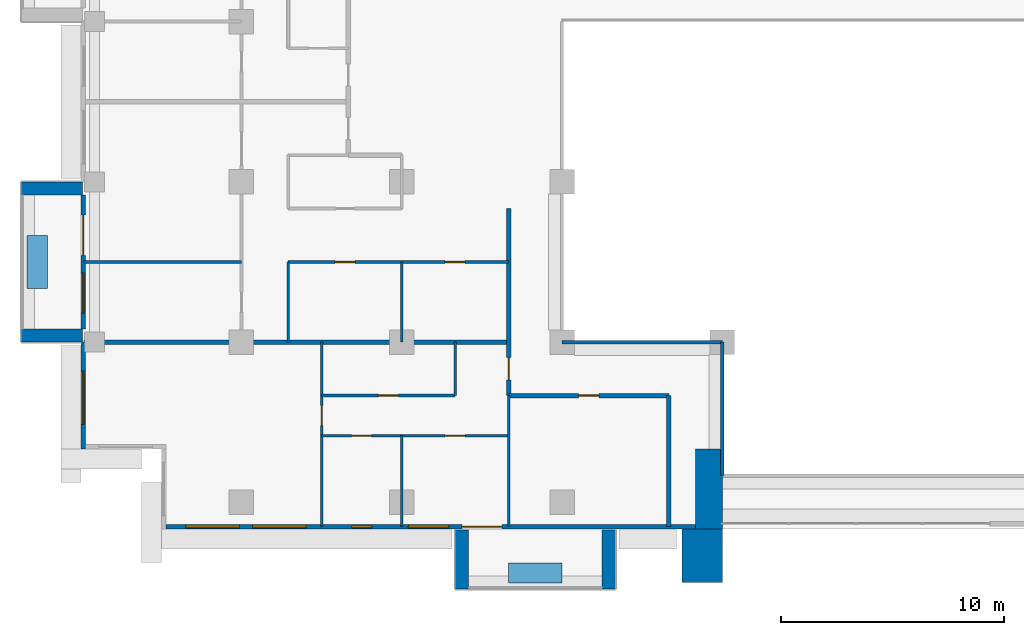
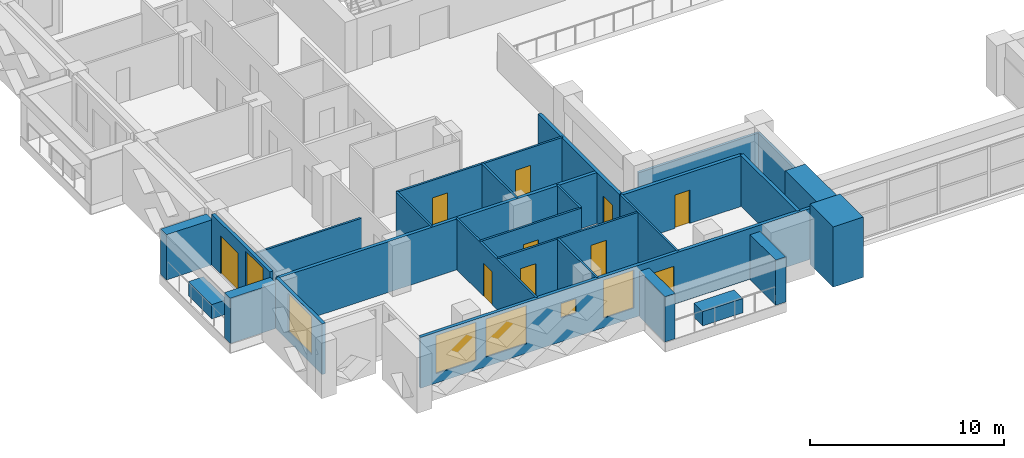
# One storey, part 6 of 20: 27 walls, 10 doors, 6 windows, 16 openings.
"""IFC4 building model written with IfcOpenShell, lengths in metres."""

import ifcopenshell
import ifcopenshell.guid

model = None  # the IFC model being written
_history = None  # IfcOwnerHistory: only IFC2X3 demands one
_inside = {}  # id of a spatial element -> (the spatial element, [elements in it])
_under = {}  # id of a project, library or spatial element -> (it, [spatial elements below it])
_declared = {}  # id of a project -> (the project, [libraries it declares])
_typed = {}  # id of a type object -> (the type object, [elements of that type])
_made_of = {}  # id of a material, layer set ... -> (it, [elements and type objects made of it])


def new_model(schema):
    """Start an empty IFC model of exactly this schema.

    Asked for "IFC4X3", IfcOpenShell would pick the latest addendum, in which some entities
    have other attributes; the version numbers below select the first issue.
    IFC2X3 requires an IfcOwnerHistory on every rooted entity: one is made here for all.
    """
    global model, _history
    if schema == "IFC4X3":
        model = ifcopenshell.file(schema_version=(4, 3, 0, 0))
    else:
        model = ifcopenshell.file(schema=schema)
    _inside.clear()
    _under.clear()
    _declared.clear()
    _typed.clear()
    _made_of.clear()
    _history = None
    if model.schema == "IFC2X3":
        org = make("IfcOrganization", Name="unknown")
        user = make(
            "IfcPersonAndOrganization",
            ThePerson=make("IfcPerson", FamilyName="unknown"),
            TheOrganization=org,
        )
        app = make(
            "IfcApplication",
            ApplicationDeveloper=org,
            Version="unknown",
            ApplicationFullName="unknown",
            ApplicationIdentifier="unknown",
        )
        _history = make(
            "IfcOwnerHistory",
            OwningUser=user,
            OwningApplication=app,
            ChangeAction="ADDED",
            CreationDate=0,
        )
    return model


def make(cls, **values):
    """One entity of the class cls with the attributes given. An attribute that is None is left unset."""
    return model.create_entity(
        cls, **{name: value for name, value in values.items() if value is not None}
    )


def rooted(cls, **values):
    """An entity with a GlobalId (a new one), such as an element, a storey or a relation."""
    return make(cls, GlobalId=ifcopenshell.guid.new(), OwnerHistory=_history, **values)


def si_unit(unit_type, name, prefix=None):
    """IfcSIUnit, for example si_unit("LENGTHUNIT", "METRE", prefix="MILLI")."""
    return make("IfcSIUnit", UnitType=unit_type, Prefix=prefix, Name=name)


def assignment(units):
    """IfcUnitAssignment: the units of a project."""
    return None if units is None else make("IfcUnitAssignment", Units=units)


def point(xyz):
    """IfcCartesianPoint."""
    return None if xyz is None else make("IfcCartesianPoint", Coordinates=xyz)


def direction(xyz):
    """IfcDirection."""
    return None if xyz is None else make("IfcDirection", DirectionRatios=xyz)


def frame(location, z_axis=None, x_axis=None):
    """IfcAxis2Placement3D, a coordinate frame: its origin and axes. An axis left out is left unset."""
    return make(
        "IfcAxis2Placement3D",
        Location=point(location),
        Axis=direction(z_axis),
        RefDirection=direction(x_axis),
    )


def frame_2d(location, x_axis=None):
    """IfcAxis2Placement2D, a coordinate frame in the plane: its origin and x axis."""
    return make(
        "IfcAxis2Placement2D", Location=point(location), RefDirection=direction(x_axis)
    )


def origin():
    """The frame at (0, 0, 0) with its axes left unset."""
    return frame((0.0, 0.0, 0.0))


def place(relative_to, where):
    """IfcLocalPlacement: puts the frame where relative to a parent placement (None: the world)."""
    return make(
        "IfcLocalPlacement", PlacementRelTo=relative_to, RelativePlacement=where
    )


def context(
    kind, dimensions, precision=None, world=None, true_north=None, identifier=None
):
    """IfcGeometricRepresentationContext, for example the 3D "Model" context."""
    return make(
        "IfcGeometricRepresentationContext",
        ContextIdentifier=identifier,
        ContextType=kind,
        CoordinateSpaceDimension=dimensions,
        Precision=precision,
        WorldCoordinateSystem=world,
        TrueNorth=true_north,
    )


def subcontext(parent, identifier, kind, view, scale=None):
    """IfcGeometricRepresentationSubContext, for example "Body" below "Model"."""
    return make(
        "IfcGeometricRepresentationSubContext",
        ContextIdentifier=identifier,
        ContextType=kind,
        ParentContext=parent,
        TargetScale=scale,
        TargetView=view,
    )


def project(units=None, contexts=None):
    """IfcProject with its units and contexts."""
    return rooted(
        "IfcProject",
        Name="project",
        RepresentationContexts=contexts,
        UnitsInContext=assignment(units),
    )


def spatial(cls, under=None, at=None, **own):
    """A site, building, storey or space (cls), placed at a placement, below another one or the project."""
    s = rooted(cls, ObjectPlacement=at, **own)
    if under is not None:
        _under.setdefault(under.id(), (under, []))[1].append(s)
    return s


def profile(cls, at=None, kind="AREA", **sizes):
    """A parametric profile (cls). Its sizes go by their IFC names, for example OverallWidth=200.0."""
    return make(cls, ProfileType=kind, Position=at, **sizes)


def rectangle(**sizes):
    """IfcRectangleProfileDef."""
    return profile("IfcRectangleProfileDef", **sizes)


def extrude(swept, where, along, depth):
    """IfcExtrudedAreaSolid: the profile swept, set in the frame where, extruded along a direction by depth."""
    return make(
        "IfcExtrudedAreaSolid",
        SweptArea=swept,
        Position=where,
        ExtrudedDirection=direction(along),
        Depth=depth,
    )


def shape(context_of_items, identifier, shape_type, items):
    """IfcShapeRepresentation: the items that make up one representation, for example the "Body"."""
    return make(
        "IfcShapeRepresentation",
        ContextOfItems=context_of_items,
        RepresentationIdentifier=identifier,
        RepresentationType=shape_type,
        Items=items,
    )


def material(Name=None, Category=None):
    """IfcMaterial."""
    return make("IfcMaterial", Name=Name, Category=Category)


def layer(
    of_material, thickness, ventilated=None, Name=None, Category=None, Priority=None
):
    """IfcMaterialLayer: one layer of a wall or slab, of a material (None: an air gap)."""
    return make(
        "IfcMaterialLayer",
        Material=of_material,
        LayerThickness=thickness,
        IsVentilated=ventilated,
        Name=Name,
        Category=Category,
        Priority=Priority,
    )


def layer_set(layers, Name=None):
    """IfcMaterialLayerSet."""
    return make("IfcMaterialLayerSet", MaterialLayers=layers, LayerSetName=Name)


def made_of(thing, what):
    """Note that an element or type object is made of a material, layer set ...; save() writes the relation."""
    if what is not None:
        _made_of.setdefault(what.id(), (what, []))[1].append(thing)
    return thing


def type_object(cls, material=None, **own):
    """A type object (cls), such as IfcWallType, which elements share."""
    return made_of(rooted(cls, **own), material)


def element(
    cls,
    number,
    at=None,
    inside=None,
    cuts=None,
    type_object=None,
    material=None,
    context=None,
    identifier="Body",
    shape_type=None,
    held_by="IfcProductDefinitionShape",
    body=None,
    shapes=None,
    **own,
):
    """One element of the class cls, such as IfcWall. Its Tag is "e" and its number.

    at: its placement. inside: the storey or other place that contains it. cuts: it is an
    opening in that element (IfcRelVoidsElement). A single representation is given by context,
    identifier, shape_type and body (its items); several are given by shapes. held_by: the class
    of the entity that holds the representations. save() writes the other relations.
    """
    e = rooted(cls, Tag="e%d" % number, ObjectPlacement=at, **own)
    if body is not None:
        shapes = [shape(context, identifier, shape_type, body)]
    if shapes is not None:
        e.Representation = make(held_by, Representations=shapes)
    if inside is not None:
        _inside.setdefault(inside.id(), (inside, []))[1].append(e)
    if cuts is not None:
        rooted(
            "IfcRelVoidsElement", RelatingBuildingElement=cuts, RelatedOpeningElement=e
        )
    if type_object is not None:
        _typed.setdefault(type_object.id(), (type_object, []))[1].append(e)
    return made_of(e, material)


def fill(opening, filler):
    """IfcRelFillsElement: the door or window that sits in an opening."""
    return rooted(
        "IfcRelFillsElement",
        RelatingOpeningElement=opening,
        RelatedBuildingElement=filler,
    )


def aggregate(whole, parts):
    """IfcRelAggregates: a whole, such as a stair, and the parts it consists of."""
    return rooted("IfcRelAggregates", RelatingObject=whole, RelatedObjects=parts)


def save(model, path):
    """Write the relations noted so far, then the file.

    IfcRelAggregates (storeys below a building ...), IfcRelContainedInSpatialStructure (elements
    in a storey), IfcRelDefinesByType, IfcRelAssociatesMaterial and IfcRelDeclares: one each for
    every whole, place, type object, material and project.
    """
    for whole, parts in _under.values():
        aggregate(whole, parts)
    for where, things in _inside.values():
        rooted(
            "IfcRelContainedInSpatialStructure",
            RelatedElements=things,
            RelatingStructure=where,
        )
    for kind, things in _typed.values():
        rooted("IfcRelDefinesByType", RelatedObjects=things, RelatingType=kind)
    for what, things in _made_of.values():
        rooted("IfcRelAssociatesMaterial", RelatedObjects=things, RelatingMaterial=what)
    for by, libraries in _declared.values():
        rooted("IfcRelDeclares", RelatingContext=by, RelatedDefinitions=libraries)
    model.write(path)


model = new_model("IFC4")

# Units and contexts
model_context = context("Model", 3, precision=1e-05, world=origin(), true_north=direction((0.0, 1.0)))
body_context = subcontext(model_context, "Body", "Model", "MODEL_VIEW")
ifc_project = project(units=[si_unit("LENGTHUNIT", "METRE"), si_unit("AREAUNIT", "SQUARE_METRE"), si_unit("VOLUMEUNIT", "CUBIC_METRE"), si_unit("PLANEANGLEUNIT", "RADIAN"), si_unit("MASSUNIT", "GRAM", prefix="KILO")], contexts=[model_context])

# Site, building, storey
site_placement = place(None, origin())
site = spatial("IfcSite", under=ifc_project, at=site_placement, CompositionType="ELEMENT")
building_placement = place(site_placement, origin())
building = spatial("IfcBuilding", under=site, at=building_placement, Name="Saffron Iwan Residences", CompositionType="ELEMENT")
storey_placement = place(building_placement, frame((0.0, 0.0, 130.5)))
storey = spatial("IfcBuildingStorey", under=building, at=storey_placement, Name="L34", CompositionType="ELEMENT", Elevation=130.5)

# Walls
ifc_material_1 = material(Name="Fire-rated glazing", Category="glass")
ifc_layer_1 = layer(ifc_material_1, 0.14990234375)
ifc_layer_set_1 = layer_set([ifc_layer_1], Name="Fire-rated glazing")
wall_type_1 = type_object("IfcWallType", Name="Atrium glazed screen 150", PredefinedType="SOLIDWALL", material=ifc_layer_set_1)
wall_1_placement = place(storey_placement, frame((36.0, 48.0, 0.0), z_axis=(0.0, 0.0, 1.0), x_axis=(1.0, 0.0, 0.0)))
element("IfcWall", 1, at=wall_1_placement, inside=storey, type_object=wall_type_1, Name="W-L34-SCREEN-h48-36", PredefinedType="SOLIDWALL", context=body_context, shape_type="SweptSolid", body=[
    extrude(rectangle(XDim=7.199951171875, YDim=0.14990234375, at=frame_2d((3.60009765625, 0.0))), origin(), (0.0, 0.0, 1.0), 2.300048828125),
])
wall_2_placement = place(storey_placement, frame((43.199951171875, 42.0, 0.0), z_axis=(0.0, 0.0, 1.0), x_axis=(0.0, 1.0, 0.0)))
element("IfcWall", 2, at=wall_2_placement, inside=storey, type_object=wall_type_1, Name="W-L34-SCREEN-v43.2-42", PredefinedType="SOLIDWALL", context=body_context, shape_type="SweptSolid", body=[
    extrude(rectangle(XDim=6.0, YDim=0.14990234375, at=frame_2d((3.0, 0.0))), origin(), (0.0, 0.0, 1.0), 2.300048828125),
])
ifc_material_2 = material(Name="Concrete C50/60 white painted", Category="concrete")
ifc_layer_2 = layer(ifc_material_2, 0.60009765625)
ifc_layer_set_2 = layer_set([ifc_layer_2], Name="Concrete C50/60 white painted")
wall_type_2 = type_object("IfcWallType", Name="BALCONY FIN 600", PredefinedType="SOLIDWALL", material=ifc_layer_set_2)
for number, where, z_axis, x_axis, name in (
    (3, (14.449951171875, 54.89990234375, 0.0), (0.0, 0.0, 1.0), (-1.0, 0.0, 0.0), "Balcony fin L34 F8-1a"),
    (4, (14.449951171875, 48.300048828125, 0.0), (0.0, 0.0, 1.0), (-1.0, 0.0, 0.0), "Balcony fin L34 F8-1b"),
):
    element("IfcWall", number, at=place(storey_placement, frame(where, z_axis=z_axis, x_axis=x_axis)), inside=storey, type_object=wall_type_2, Name=name, PredefinedType="SOLIDWALL", context=body_context, shape_type="SweptSolid", body=[
        extrude(rectangle(XDim=2.75, YDim=0.60009765625, at=frame_2d((1.375, 0.0))), origin(), (0.0, 0.0, 1.0), 2.85009765625),
    ])
for number, where, z_axis, x_axis, name in (
    (5, (31.5, 39.550048828125, 0.0), (0.0, 0.0, 1.0), (0.0, -1.0, 0.0), "Balcony fin L34 11-0a"),
    (6, (38.10009765625, 39.550048828125, 0.0), (0.0, 0.0, 1.0), (0.0, -1.0, 0.0), "Balcony fin L34 11-0b"),
):
    element("IfcWall", number, at=place(storey_placement, frame(where, z_axis=z_axis, x_axis=x_axis)), inside=storey, type_object=wall_type_2, Name=name, PredefinedType="SOLIDWALL", context=body_context, shape_type="SweptSolid", body=[
        extrude(rectangle(XDim=2.650146484375, YDim=0.60009765625, at=frame_2d((1.3251953125, 0.0))), origin(), (0.0, 0.0, 1.0), 2.85009765625),
    ])
ifc_material_3 = material(Name="Concrete C35/45 white painted", Category="concrete")
ifc_layer_3 = layer(ifc_material_3, 0.14990234375)
ifc_layer_set_3 = layer_set([ifc_layer_3], Name="Concrete C35/45 white painted")
wall_type_3 = type_object("IfcWallType", Name="BALCONY PLANTER", PredefinedType="SOLIDWALL", material=ifc_layer_set_3)
wall_3_placement = place(storey_placement, frame((12.425048828125, 52.800048828125, 0.0), z_axis=(0.0, 0.0, 1.0), x_axis=(0.0, -1.0, 0.0)))
element("IfcWall", 7, at=wall_3_placement, inside=storey, type_object=wall_type_3, Name="PLANTER L34 F8-1", PredefinedType="SOLIDWALL", context=body_context, shape_type="SweptSolid", body=[
    extrude(rectangle(XDim=2.400146484375, YDim=0.89990234375, at=frame_2d((1.2001953125, 0.0))), origin(), (0.0, 0.0, 1.0), 0.89990234375),
])
wall_4_placement = place(storey_placement, frame((33.60009765625, 37.625, 0.0), z_axis=(0.0, 0.0, 1.0), x_axis=(1.0, 0.0, 0.0)))
element("IfcWall", 8, at=wall_4_placement, inside=storey, type_object=wall_type_3, Name="PLANTER L34 11-0", PredefinedType="SOLIDWALL", context=body_context, shape_type="SweptSolid", body=[
    extrude(rectangle(XDim=2.39990234375, YDim=0.89990234375, at=frame_2d((1.199951171875, 0.0))), origin(), (0.0, 0.0, 1.0), 0.89990234375),
])

# Wall, openings, door, window
ifc_material_4 = material(Name="Concrete C40/50", Category="concrete")
ifc_layer_4 = layer(ifc_material_4, 0.199951171875)
ifc_layer_set_4 = layer_set([ifc_layer_4], Name="Concrete C40/50")
wall_type_4 = type_object("IfcWallType", Name="EXTERNAL WALL 200", PredefinedType="SOLIDWALL", material=ifc_layer_set_4)
wall_5_placement = place(storey_placement, frame((14.5, 54.60009765625, 0.0), z_axis=(0.0, 0.0, 1.0), x_axis=(0.0, -1.0, 0.0)))
wall_5 = element("IfcWall", 9, at=wall_5_placement, inside=storey, type_object=wall_type_4, Name="External wall L34 F8.3", PredefinedType="SOLIDWALL", context=body_context, shape_type="SweptSolid", body=[
    extrude(rectangle(XDim=6.0, YDim=0.199951171875, at=frame_2d((3.0, 0.0))), origin(), (0.0, 0.0, 1.0), 3.199951171875),
])
opening_1_placement = place(wall_5_placement, frame((0.89990234375, 0.0, 0.0)))
opening_1 = element("IfcOpeningElement", 10, at=opening_1_placement, cuts=wall_5, Name="Opening BD1", PredefinedType="OPENING", context=body_context, shape_type="SweptSolid", body=[
    extrude(rectangle(XDim=1.800048828125, YDim=2.39990234375, at=frame_2d((0.89990234375, 1.199951171875))), frame((0.0, 0.10986328125, 0.0), z_axis=(0.0, -1.0, 0.0), x_axis=(1.0, 0.0, 0.0)), (0.0, 0.0, 1.0), 0.219970703125),
])
opening_2_placement = place(wall_5_placement, frame((3.5, 0.0, 0.60009765625)))
opening_2 = element("IfcOpeningElement", 11, at=opening_2_placement, cuts=wall_5, Name="Opening W8", PredefinedType="OPENING", context=body_context, shape_type="SweptSolid", body=[
    extrude(rectangle(XDim=1.800048828125, YDim=2.39990234375, at=frame_2d((0.89990234375, 1.199951171875))), frame((0.0, 0.10986328125, 0.0), z_axis=(0.0, -1.0, 0.0), x_axis=(1.0, 0.0, 0.0)), (0.0, 0.0, 1.0), 0.219970703125),
])
ifc_material_5 = material(Name="Clear glass, laminated double glazed", Category="glass")
door_type_1 = type_object("IfcDoorType", Name="BALCONY DOOR 1800 x 2400", OperationType="DOUBLE_DOOR_SLIDING", PredefinedType="DOOR", material=ifc_material_5)
door_1_placement = place(opening_1_placement, origin())
door_1 = element("IfcDoor", 12, at=door_1_placement, inside=storey, type_object=door_type_1, Name="Balcony door L34 F8.0", OperationType="DOUBLE_DOOR_SLIDING", OverallHeight=2.39990234375, OverallWidth=1.800048828125, PredefinedType="DOOR", context=body_context, shape_type="SweptSolid", body=[
    extrude(rectangle(XDim=1.800048828125, YDim=2.39990234375, at=frame_2d((0.89990234375, 1.199951171875))), frame((0.0, 0.02490234375, 0.0), z_axis=(0.0, -1.0, 0.0), x_axis=(1.0, 0.0, 0.0)), (0.0, 0.0, 1.0), 0.050048828125),
])
fill(opening_1, door_1)
window_type_1 = type_object("IfcWindowType", Name="WINDOW 1800 x 2400", PartitioningType="DOUBLE_PANEL_VERTICAL", PredefinedType="WINDOW", material=ifc_material_5)
window_1_placement = place(opening_2_placement, origin())
window_1 = element("IfcWindow", 13, at=window_1_placement, inside=storey, type_object=window_type_1, Name="Window L34 F8.1", OverallHeight=2.39990234375, OverallWidth=1.800048828125, PartitioningType="DOUBLE_PANEL_VERTICAL", PredefinedType="WINDOW", context=body_context, shape_type="SweptSolid", body=[
    extrude(rectangle(XDim=1.800048828125, YDim=2.39990234375, at=frame_2d((0.89990234375, 1.199951171875))), frame((0.0, 0.030029296875, 0.0), z_axis=(0.0, -1.0, 0.0), x_axis=(1.0, 0.0, 0.0)), (0.0, 0.0, 1.0), 0.06005859375),
])
fill(opening_2, window_1)

# Wall, opening, window
wall_6_placement = place(storey_placement, frame((14.5, 48.0, 0.0), z_axis=(0.0, 0.0, 1.0), x_axis=(0.0, -1.0, 0.0)))
wall_6 = element("IfcWall", 14, at=wall_6_placement, inside=storey, type_object=wall_type_4, Name="External wall L34 F8.4", PredefinedType="SOLIDWALL", context=body_context, shape_type="SweptSolid", body=[
    extrude(rectangle(XDim=4.800048828125, YDim=0.199951171875, at=frame_2d((2.39990234375, 0.0))), origin(), (0.0, 0.0, 1.0), 3.199951171875),
])
opening_3_placement = place(wall_6_placement, frame((1.300048828125, 0.0, 0.60009765625)))
opening_3 = element("IfcOpeningElement", 15, at=opening_3_placement, cuts=wall_6, Name="Opening W1", PredefinedType="OPENING", context=body_context, shape_type="SweptSolid", body=[
    extrude(rectangle(XDim=2.39990234375, YDim=2.39990234375, at=frame_2d((1.199951171875, 1.199951171875))), frame((0.0, 0.10986328125, 0.0), z_axis=(0.0, -1.0, 0.0), x_axis=(1.0, 0.0, 0.0)), (0.0, 0.0, 1.0), 0.219970703125),
])
window_type_2 = type_object("IfcWindowType", Name="WINDOW 2400 x 2400", PartitioningType="DOUBLE_PANEL_VERTICAL", PredefinedType="WINDOW", material=ifc_material_5)
window_2_placement = place(opening_3_placement, origin())
window_2 = element("IfcWindow", 16, at=window_2_placement, inside=storey, type_object=window_type_2, Name="Window L34 F8.0", OverallHeight=2.39990234375, OverallWidth=2.39990234375, PartitioningType="DOUBLE_PANEL_VERTICAL", PredefinedType="WINDOW", context=body_context, shape_type="SweptSolid", body=[
    extrude(rectangle(XDim=2.39990234375, YDim=2.39990234375, at=frame_2d((1.199951171875, 1.199951171875))), frame((0.0, 0.030029296875, 0.0), z_axis=(0.0, -1.0, 0.0), x_axis=(1.0, 0.0, 0.0)), (0.0, 0.0, 1.0), 0.06005859375),
])
fill(opening_3, window_2)

# Wall, openings, door, windows
wall_7_placement = place(storey_placement, frame((18.199951171875, 39.699951171875, 0.0), z_axis=(0.0, 0.0, 1.0), x_axis=(1.0, 0.0, 0.0)))
wall_7 = element("IfcWall", 17, at=wall_7_placement, inside=storey, type_object=wall_type_4, Name="External wall L34 F11.0", PredefinedType="SOLIDWALL", context=body_context, shape_type="SweptSolid", body=[
    extrude(rectangle(XDim=23.800048828125, YDim=0.199951171875, at=frame_2d((11.89990234375, 0.0))), origin(), (0.0, 0.0, 1.0), 3.199951171875),
])
opening_4_placement = place(wall_7_placement, frame((13.300048828125, 0.0, 0.0)))
opening_4 = element("IfcOpeningElement", 18, at=opening_4_placement, cuts=wall_7, Name="Opening BD1", PredefinedType="OPENING", context=body_context, shape_type="SweptSolid", body=[
    extrude(rectangle(XDim=1.800048828125, YDim=2.39990234375, at=frame_2d((0.89990234375, 1.199951171875))), frame((0.0, 0.10986328125, 0.0), z_axis=(0.0, -1.0, 0.0), x_axis=(1.0, 0.0, 0.0)), (0.0, 0.0, 1.0), 0.219970703125),
])
opening_5_placement = place(wall_7_placement, frame((0.89990234375, 0.0, 0.60009765625)))
opening_5 = element("IfcOpeningElement", 19, at=opening_5_placement, cuts=wall_7, Name="Opening W1", PredefinedType="OPENING", context=body_context, shape_type="SweptSolid", body=[
    extrude(rectangle(XDim=2.39990234375, YDim=2.39990234375, at=frame_2d((1.199951171875, 1.199951171875))), frame((0.0, 0.10986328125, 0.0), z_axis=(0.0, -1.0, 0.0), x_axis=(1.0, 0.0, 0.0)), (0.0, 0.0, 1.0), 0.219970703125),
])
opening_6_placement = place(wall_7_placement, frame((3.89990234375, 0.0, 0.60009765625)))
opening_6 = element("IfcOpeningElement", 20, at=opening_6_placement, cuts=wall_7, Name="Opening W1", PredefinedType="OPENING", context=body_context, shape_type="SweptSolid", body=[
    extrude(rectangle(XDim=2.39990234375, YDim=2.39990234375, at=frame_2d((1.199951171875, 1.199951171875))), frame((0.0, 0.10986328125, 0.0), z_axis=(0.0, -1.0, 0.0), x_axis=(1.0, 0.0, 0.0)), (0.0, 0.0, 1.0), 0.219970703125),
])
opening_7_placement = place(wall_7_placement, frame((8.35009765625, 0.0, 1.5)))
opening_7 = element("IfcOpeningElement", 21, at=opening_7_placement, cuts=wall_7, Name="Opening W6", PredefinedType="OPENING", context=body_context, shape_type="SweptSolid", body=[
    extrude(rectangle(XDim=0.89990234375, YDim=0.89990234375, at=frame_2d((0.449951171875, 0.449951171875))), frame((0.0, 0.10986328125, 0.0), z_axis=(0.0, -1.0, 0.0), x_axis=(1.0, 0.0, 0.0)), (0.0, 0.0, 1.0), 0.219970703125),
])
opening_8_placement = place(wall_7_placement, frame((10.89990234375, 0.0, 0.60009765625)))
opening_8 = element("IfcOpeningElement", 22, at=opening_8_placement, cuts=wall_7, Name="Opening W8", PredefinedType="OPENING", context=body_context, shape_type="SweptSolid", body=[
    extrude(rectangle(XDim=1.800048828125, YDim=2.39990234375, at=frame_2d((0.89990234375, 1.199951171875))), frame((0.0, 0.10986328125, 0.0), z_axis=(0.0, -1.0, 0.0), x_axis=(1.0, 0.0, 0.0)), (0.0, 0.0, 1.0), 0.219970703125),
])
door_2_placement = place(opening_4_placement, origin())
door_2 = element("IfcDoor", 23, at=door_2_placement, inside=storey, type_object=door_type_1, Name="Balcony door L34 F11.0", OperationType="DOUBLE_DOOR_SLIDING", OverallHeight=2.39990234375, OverallWidth=1.800048828125, PredefinedType="DOOR", context=body_context, shape_type="SweptSolid", body=[
    extrude(rectangle(XDim=1.800048828125, YDim=2.39990234375, at=frame_2d((0.89990234375, 1.199951171875))), frame((0.0, 0.02490234375, 0.0), z_axis=(0.0, -1.0, 0.0), x_axis=(1.0, 0.0, 0.0)), (0.0, 0.0, 1.0), 0.050048828125),
])
fill(opening_4, door_2)
window_3_placement = place(opening_8_placement, origin())
window_3 = element("IfcWindow", 24, at=window_3_placement, inside=storey, type_object=window_type_1, Name="Window L34 F11.4", OverallHeight=2.39990234375, OverallWidth=1.800048828125, PartitioningType="DOUBLE_PANEL_VERTICAL", PredefinedType="WINDOW", context=body_context, shape_type="SweptSolid", body=[
    extrude(rectangle(XDim=1.800048828125, YDim=2.39990234375, at=frame_2d((0.89990234375, 1.199951171875))), frame((0.0, 0.030029296875, 0.0), z_axis=(0.0, -1.0, 0.0), x_axis=(1.0, 0.0, 0.0)), (0.0, 0.0, 1.0), 0.06005859375),
])
fill(opening_8, window_3)
window_4_placement = place(opening_5_placement, origin())
window_4 = element("IfcWindow", 25, at=window_4_placement, inside=storey, type_object=window_type_2, Name="Window L34 F11.1", OverallHeight=2.39990234375, OverallWidth=2.39990234375, PartitioningType="DOUBLE_PANEL_VERTICAL", PredefinedType="WINDOW", context=body_context, shape_type="SweptSolid", body=[
    extrude(rectangle(XDim=2.39990234375, YDim=2.39990234375, at=frame_2d((1.199951171875, 1.199951171875))), frame((0.0, 0.030029296875, 0.0), z_axis=(0.0, -1.0, 0.0), x_axis=(1.0, 0.0, 0.0)), (0.0, 0.0, 1.0), 0.06005859375),
])
fill(opening_5, window_4)
window_5_placement = place(opening_6_placement, origin())
window_5 = element("IfcWindow", 26, at=window_5_placement, inside=storey, type_object=window_type_2, Name="Window L34 F11.2", OverallHeight=2.39990234375, OverallWidth=2.39990234375, PartitioningType="DOUBLE_PANEL_VERTICAL", PredefinedType="WINDOW", context=body_context, shape_type="SweptSolid", body=[
    extrude(rectangle(XDim=2.39990234375, YDim=2.39990234375, at=frame_2d((1.199951171875, 1.199951171875))), frame((0.0, 0.030029296875, 0.0), z_axis=(0.0, -1.0, 0.0), x_axis=(1.0, 0.0, 0.0)), (0.0, 0.0, 1.0), 0.06005859375),
])
fill(opening_6, window_5)
window_type_3 = type_object("IfcWindowType", Name="WINDOW 900 x 900 BATH", PartitioningType="SINGLE_PANEL", PredefinedType="WINDOW", material=ifc_material_5)
window_6_placement = place(opening_7_placement, origin())
window_6 = element("IfcWindow", 27, at=window_6_placement, inside=storey, type_object=window_type_3, Name="Window L34 F11.3", OverallHeight=0.89990234375, OverallWidth=0.89990234375, PartitioningType="SINGLE_PANEL", PredefinedType="WINDOW", context=body_context, shape_type="SweptSolid", body=[
    extrude(rectangle(XDim=0.89990234375, YDim=0.89990234375, at=frame_2d((0.449951171875, 0.449951171875))), frame((0.0, 0.030029296875, 0.0), z_axis=(0.0, -1.0, 0.0), x_axis=(1.0, 0.0, 0.0)), (0.0, 0.0, 1.0), 0.06005859375),
])
fill(opening_7, window_6)

# Wall
ifc_material_6 = material(Name="Fire-rated gypsum board wall")
ifc_layer_5 = layer(ifc_material_6, 0.199951171875)
ifc_layer_set_5 = layer_set([ifc_layer_5], Name="Fire-rated gypsum board wall")
wall_type_5 = type_object("IfcWallType", Name="Flat demising wall 200", PredefinedType="SOLIDWALL", material=ifc_layer_set_5)
wall_8_placement = place(storey_placement, frame((14.52490234375, 48.0, 0.0), z_axis=(0.0, 0.0, 1.0), x_axis=(1.0, 0.0, 0.0)))
element("IfcWall", 28, at=wall_8_placement, inside=storey, type_object=wall_type_5, Name="W-L34-DEMISE-h48-14.525", PredefinedType="SOLIDWALL", context=body_context, shape_type="SweptSolid", body=[
    extrude(rectangle(XDim=19.0751953125, YDim=0.199951171875, at=frame_2d((9.53759765625, 0.0))), origin(), (0.0, 0.0, 1.0), 3.199951171875),
])

# Wall, openings, doors
ifc_material_7 = material(Name="Gypsum board partition")
ifc_layer_6 = layer(ifc_material_7, 0.1201171875)
ifc_layer_set_6 = layer_set([ifc_layer_6], Name="Gypsum board partition")
wall_type_6 = type_object("IfcWallType", Name="Flat partition 120", PredefinedType="PARTITIONING", material=ifc_layer_set_6)
wall_9_placement = place(storey_placement, frame((25.199951171875, 43.800048828125, 0.0), z_axis=(0.0, 0.0, 1.0), x_axis=(1.0, 0.0, 0.0)))
wall_9 = element("IfcWall", 29, at=wall_9_placement, inside=storey, type_object=wall_type_6, Name="W-L34-PART-h43.8-25.2", PredefinedType="PARTITIONING", context=body_context, shape_type="SweptSolid", body=[
    extrude(rectangle(XDim=8.400146484375, YDim=0.1201171875, at=frame_2d((4.2001953125, 0.0))), origin(), (0.0, 0.0, 1.0), 3.199951171875),
])
opening_9_placement = place(wall_9_placement, frame((1.35009765625, 0.0, 0.0)))
opening_9 = element("IfcOpeningElement", 30, at=opening_9_placement, cuts=wall_9, Name="Opening FD2", PredefinedType="OPENING", context=body_context, shape_type="SweptSolid", body=[
    extrude(rectangle(XDim=0.89990234375, YDim=2.10009765625, at=frame_2d((0.449951171875, 1.050048828125))), frame((0.0, 0.070068359375, 0.0), z_axis=(0.0, -1.0, 0.0), x_axis=(1.0, 0.0, 0.0)), (0.0, 0.0, 1.0), 0.14013671875),
])
opening_10_placement = place(wall_9_placement, frame((5.550048828125, 0.0, 0.0)))
opening_10 = element("IfcOpeningElement", 31, at=opening_10_placement, cuts=wall_9, Name="Opening FD2", PredefinedType="OPENING", context=body_context, shape_type="SweptSolid", body=[
    extrude(rectangle(XDim=0.89990234375, YDim=2.10009765625, at=frame_2d((0.449951171875, 1.050048828125))), frame((0.0, 0.070068359375, 0.0), z_axis=(0.0, -1.0, 0.0), x_axis=(1.0, 0.0, 0.0)), (0.0, 0.0, 1.0), 0.14013671875),
])
ifc_material_8 = material(Name="Timber door", Category="wood")
door_type_2 = type_object("IfcDoorType", Name="Flat door 900", OperationType="NOTDEFINED", PredefinedType="DOOR", material=ifc_material_8)
door_3_placement = place(opening_9_placement, origin())
door_3 = element("IfcDoor", 32, at=door_3_placement, inside=storey, type_object=door_type_2, Name="Door L34-003", OperationType="SINGLE_SWING_RIGHT", OverallHeight=2.10009765625, OverallWidth=0.89990234375, PredefinedType="DOOR", context=body_context, shape_type="SweptSolid", body=[
    extrude(rectangle(XDim=0.89990234375, YDim=2.10009765625, at=frame_2d((0.449951171875, 1.050048828125))), frame((0.0, 0.02490234375, 0.0), z_axis=(0.0, -1.0, 0.0), x_axis=(1.0, 0.0, 0.0)), (0.0, 0.0, 1.0), 0.050048828125),
])
fill(opening_9, door_3)
door_4_placement = place(opening_10_placement, origin())
door_4 = element("IfcDoor", 33, at=door_4_placement, inside=storey, type_object=door_type_2, Name="Door L34-004", OperationType="SINGLE_SWING_LEFT", OverallHeight=2.10009765625, OverallWidth=0.89990234375, PredefinedType="DOOR", context=body_context, shape_type="SweptSolid", body=[
    extrude(rectangle(XDim=0.89990234375, YDim=2.10009765625, at=frame_2d((0.449951171875, 1.050048828125))), frame((0.0, 0.02490234375, 0.0), z_axis=(0.0, -1.0, 0.0), x_axis=(1.0, 0.0, 0.0)), (0.0, 0.0, 1.0), 0.050048828125),
])
fill(opening_10, door_4)

# Wall, opening, door
wall_10_placement = place(storey_placement, frame((25.199951171875, 45.60009765625, 0.0), z_axis=(0.0, 0.0, 1.0), x_axis=(1.0, 0.0, 0.0)))
wall_10 = element("IfcWall", 34, at=wall_10_placement, inside=storey, type_object=wall_type_6, Name="W-L34-PART-h45.6-25.2", PredefinedType="PARTITIONING", context=body_context, shape_type="SweptSolid", body=[
    extrude(rectangle(XDim=6.0, YDim=0.1201171875, at=frame_2d((3.0, 0.0))), origin(), (0.0, 0.0, 1.0), 3.199951171875),
])
opening_11_placement = place(wall_10_placement, frame((2.550048828125, 0.0, 0.0)))
opening_11 = element("IfcOpeningElement", 35, at=opening_11_placement, cuts=wall_10, Name="Opening FD2", PredefinedType="OPENING", context=body_context, shape_type="SweptSolid", body=[
    extrude(rectangle(XDim=0.89990234375, YDim=2.10009765625, at=frame_2d((0.449951171875, 1.050048828125))), frame((0.0, 0.070068359375, 0.0), z_axis=(0.0, -1.0, 0.0), x_axis=(1.0, 0.0, 0.0)), (0.0, 0.0, 1.0), 0.14013671875),
])
door_5_placement = place(opening_11_placement, origin())
door_5 = element("IfcDoor", 36, at=door_5_placement, inside=storey, type_object=door_type_2, Name="Door L34-005", OperationType="SINGLE_SWING_LEFT", OverallHeight=2.10009765625, OverallWidth=0.89990234375, PredefinedType="DOOR", context=body_context, shape_type="SweptSolid", body=[
    extrude(rectangle(XDim=0.89990234375, YDim=2.10009765625, at=frame_2d((0.449951171875, 1.050048828125))), frame((0.0, 0.02490234375, 0.0), z_axis=(0.0, -1.0, 0.0), x_axis=(1.0, 0.0, 0.0)), (0.0, 0.0, 1.0), 0.050048828125),
])
fill(opening_11, door_5)

# Wall
wall_11_placement = place(storey_placement, frame((14.52490234375, 51.60009765625, 0.0), z_axis=(0.0, 0.0, 1.0), x_axis=(1.0, 0.0, 0.0)))
element("IfcWall", 37, at=wall_11_placement, inside=storey, type_object=wall_type_6, Name="W-L34-PART-h51.6-14.525", PredefinedType="PARTITIONING", context=body_context, shape_type="SweptSolid", body=[
    extrude(rectangle(XDim=7.0751953125, YDim=0.1201171875, at=frame_2d((3.53759765625, 0.0))), origin(), (0.0, 0.0, 1.0), 2.300048828125),
])

# Wall, openings, doors
wall_12_placement = place(storey_placement, frame((23.699951171875, 51.60009765625, 0.0), z_axis=(0.0, 0.0, 1.0), x_axis=(1.0, 0.0, 0.0)))
wall_12 = element("IfcWall", 38, at=wall_12_placement, inside=storey, type_object=wall_type_6, Name="W-L34-PART-h51.6-23.7", PredefinedType="PARTITIONING", context=body_context, shape_type="SweptSolid", body=[
    extrude(rectangle(XDim=9.900146484375, YDim=0.1201171875, at=frame_2d((4.9501953125, 0.0))), origin(), (0.0, 0.0, 1.0), 3.199951171875),
])
opening_12_placement = place(wall_12_placement, frame((2.10009765625, 0.0, 0.0)))
opening_12 = element("IfcOpeningElement", 39, at=opening_12_placement, cuts=wall_12, Name="Opening FD2", PredefinedType="OPENING", context=body_context, shape_type="SweptSolid", body=[
    extrude(rectangle(XDim=0.89990234375, YDim=2.10009765625, at=frame_2d((0.449951171875, 1.050048828125))), frame((0.0, 0.070068359375, 0.0), z_axis=(0.0, -1.0, 0.0), x_axis=(1.0, 0.0, 0.0)), (0.0, 0.0, 1.0), 0.14013671875),
])
opening_13_placement = place(wall_12_placement, frame((7.050048828125, 0.0, 0.0)))
opening_13 = element("IfcOpeningElement", 40, at=opening_13_placement, cuts=wall_12, Name="Opening FD2", PredefinedType="OPENING", context=body_context, shape_type="SweptSolid", body=[
    extrude(rectangle(XDim=0.89990234375, YDim=2.10009765625, at=frame_2d((0.449951171875, 1.050048828125))), frame((0.0, 0.070068359375, 0.0), z_axis=(0.0, -1.0, 0.0), x_axis=(1.0, 0.0, 0.0)), (0.0, 0.0, 1.0), 0.14013671875),
])
door_6_placement = place(opening_12_placement, origin())
door_6 = element("IfcDoor", 41, at=door_6_placement, inside=storey, type_object=door_type_2, Name="Door L34-010", OperationType="SINGLE_SWING_LEFT", OverallHeight=2.10009765625, OverallWidth=0.89990234375, PredefinedType="DOOR", context=body_context, shape_type="SweptSolid", body=[
    extrude(rectangle(XDim=0.89990234375, YDim=2.10009765625, at=frame_2d((0.449951171875, 1.050048828125))), frame((0.0, 0.02490234375, 0.0), z_axis=(0.0, -1.0, 0.0), x_axis=(1.0, 0.0, 0.0)), (0.0, 0.0, 1.0), 0.050048828125),
])
fill(opening_12, door_6)
door_7_placement = place(opening_13_placement, origin())
door_7 = element("IfcDoor", 42, at=door_7_placement, inside=storey, type_object=door_type_2, Name="Door L34-012", OperationType="SINGLE_SWING_RIGHT", OverallHeight=2.10009765625, OverallWidth=0.89990234375, PredefinedType="DOOR", context=body_context, shape_type="SweptSolid", body=[
    extrude(rectangle(XDim=0.89990234375, YDim=2.10009765625, at=frame_2d((0.449951171875, 1.050048828125))), frame((0.0, 0.02490234375, 0.0), z_axis=(0.0, -1.0, 0.0), x_axis=(1.0, 0.0, 0.0)), (0.0, 0.0, 1.0), 0.050048828125),
])
fill(opening_13, door_7)

# Wall
wall_13_placement = place(storey_placement, frame((23.699951171875, 48.0, 0.0), z_axis=(0.0, 0.0, 1.0), x_axis=(0.0, 1.0, 0.0)))
element("IfcWall", 43, at=wall_13_placement, inside=storey, type_object=wall_type_6, Name="W-L34-PART-v23.7-48", PredefinedType="PARTITIONING", context=body_context, shape_type="SweptSolid", body=[
    extrude(rectangle(XDim=3.60009765625, YDim=0.1201171875, at=frame_2d((1.800048828125, 0.0))), origin(), (0.0, 0.0, 1.0), 3.199951171875),
])

# Wall, opening, door
wall_14_placement = place(storey_placement, frame((25.199951171875, 39.72509765625, 0.0), z_axis=(0.0, 0.0, 1.0), x_axis=(0.0, 1.0, 0.0)))
wall_14 = element("IfcWall", 44, at=wall_14_placement, inside=storey, type_object=wall_type_6, Name="W-L34-PART-v25.2-39.725", PredefinedType="PARTITIONING", context=body_context, shape_type="SweptSolid", body=[
    extrude(rectangle(XDim=8.27490234375, YDim=0.1201171875, at=frame_2d((4.137451171875, 0.0))), origin(), (0.0, 0.0, 1.0), 3.199951171875),
])
opening_14_placement = place(wall_14_placement, frame((4.52490234375, 0.0, 0.0)))
opening_14 = element("IfcOpeningElement", 45, at=opening_14_placement, cuts=wall_14, Name="Opening FD2", PredefinedType="OPENING", context=body_context, shape_type="SweptSolid", body=[
    extrude(rectangle(XDim=0.89990234375, YDim=2.10009765625, at=frame_2d((0.449951171875, 1.050048828125))), frame((0.0, 0.070068359375, 0.0), z_axis=(0.0, -1.0, 0.0), x_axis=(1.0, 0.0, 0.0)), (0.0, 0.0, 1.0), 0.14013671875),
])
door_8_placement = place(opening_14_placement, origin())
door_8 = element("IfcDoor", 46, at=door_8_placement, inside=storey, type_object=door_type_2, Name="Door L34-002", OperationType="SINGLE_SWING_LEFT", OverallHeight=2.10009765625, OverallWidth=0.89990234375, PredefinedType="DOOR", context=body_context, shape_type="SweptSolid", body=[
    extrude(rectangle(XDim=0.89990234375, YDim=2.10009765625, at=frame_2d((0.449951171875, 1.050048828125))), frame((0.0, 0.02490234375, 0.0), z_axis=(0.0, -1.0, 0.0), x_axis=(1.0, 0.0, 0.0)), (0.0, 0.0, 1.0), 0.050048828125),
])
fill(opening_14, door_8)

# Walls
wall_15_placement = place(storey_placement, frame((28.800048828125, 39.72509765625, 0.0), z_axis=(0.0, 0.0, 1.0), x_axis=(0.0, 1.0, 0.0)))
element("IfcWall", 47, at=wall_15_placement, inside=storey, type_object=wall_type_6, Name="W-L34-PART-v28.8-39.725", PredefinedType="PARTITIONING", context=body_context, shape_type="SweptSolid", body=[
    extrude(rectangle(XDim=4.074951171875, YDim=0.1201171875, at=frame_2d((2.03759765625, 0.0))), origin(), (0.0, 0.0, 1.0), 3.199951171875),
])
wall_16_placement = place(storey_placement, frame((28.800048828125, 48.0, 0.0), z_axis=(0.0, 0.0, 1.0), x_axis=(0.0, 1.0, 0.0)))
element("IfcWall", 48, at=wall_16_placement, inside=storey, type_object=wall_type_6, Name="W-L34-PART-v28.8-48", PredefinedType="PARTITIONING", context=body_context, shape_type="SweptSolid", body=[
    extrude(rectangle(XDim=3.60009765625, YDim=0.1201171875, at=frame_2d((1.800048828125, 0.0))), origin(), (0.0, 0.0, 1.0), 3.199951171875),
])
wall_17_placement = place(storey_placement, frame((31.199951171875, 45.60009765625, 0.0), z_axis=(0.0, 0.0, 1.0), x_axis=(0.0, 1.0, 0.0)))
element("IfcWall", 49, at=wall_17_placement, inside=storey, type_object=wall_type_6, Name="W-L34-PART-v31.2-45.6", PredefinedType="PARTITIONING", context=body_context, shape_type="SweptSolid", body=[
    extrude(rectangle(XDim=2.39990234375, YDim=0.1201171875, at=frame_2d((1.199951171875, 0.0))), origin(), (0.0, 0.0, 1.0), 3.199951171875),
])
wall_18_placement = place(storey_placement, frame((33.60009765625, 39.72509765625, 0.0), z_axis=(0.0, 0.0, 1.0), x_axis=(0.0, 1.0, 0.0)))
element("IfcWall", 50, at=wall_18_placement, inside=storey, type_object=wall_type_6, Name="W-L34-PART-v33.6-39.725", PredefinedType="PARTITIONING", context=body_context, shape_type="SweptSolid", body=[
    extrude(rectangle(XDim=5.875, YDim=0.1201171875, at=frame_2d((2.9375, 0.0))), origin(), (0.0, 0.0, 1.0), 3.199951171875),
])

# Wall, opening, door
ifc_layer_7 = layer(ifc_material_6, 0.199951171875)
ifc_layer_set_7 = layer_set([ifc_layer_7], Name="Fire-rated gypsum board wall")
wall_type_7 = type_object("IfcWallType", Name="Gallery wall 200", PredefinedType="SOLIDWALL", material=ifc_layer_set_7)
wall_19_placement = place(storey_placement, frame((33.60009765625, 45.60009765625, 0.0), z_axis=(0.0, 0.0, 1.0), x_axis=(1.0, 0.0, 0.0)))
wall_19 = element("IfcWall", 51, at=wall_19_placement, inside=storey, type_object=wall_type_7, Name="W-L34-CORR-h45.6-33.6", PredefinedType="SOLIDWALL", context=body_context, shape_type="SweptSolid", body=[
    extrude(rectangle(XDim=7.199951171875, YDim=0.199951171875, at=frame_2d((3.60009765625, 0.0))), origin(), (0.0, 0.0, 1.0), 3.199951171875),
])
opening_15_placement = place(wall_19_placement, frame((3.14990234375, 0.0, 0.0)))
opening_15 = element("IfcOpeningElement", 52, at=opening_15_placement, cuts=wall_19, Name="Opening FD2", PredefinedType="OPENING", context=body_context, shape_type="SweptSolid", body=[
    extrude(rectangle(XDim=0.89990234375, YDim=2.10009765625, at=frame_2d((0.449951171875, 1.050048828125))), frame((0.0, 0.10986328125, 0.0), z_axis=(0.0, -1.0, 0.0), x_axis=(1.0, 0.0, 0.0)), (0.0, 0.0, 1.0), 0.219970703125),
])
door_9_placement = place(opening_15_placement, origin())
door_9 = element("IfcDoor", 53, at=door_9_placement, inside=storey, type_object=door_type_2, Name="Door L34-006", OperationType="SINGLE_SWING_RIGHT", OverallHeight=2.10009765625, OverallWidth=0.89990234375, PredefinedType="DOOR", context=body_context, shape_type="SweptSolid", body=[
    extrude(rectangle(XDim=0.89990234375, YDim=2.10009765625, at=frame_2d((0.449951171875, 1.050048828125))), frame((0.0, 0.02490234375, 0.0), z_axis=(0.0, -1.0, 0.0), x_axis=(1.0, 0.0, 0.0)), (0.0, 0.0, 1.0), 0.050048828125),
])
fill(opening_15, door_9)

wall_20_placement = place(storey_placement, frame((33.60009765625, 45.60009765625, 0.0), z_axis=(0.0, 0.0, 1.0), x_axis=(0.0, 1.0, 0.0)))
wall_20 = element("IfcWall", 54, at=wall_20_placement, inside=storey, type_object=wall_type_7, Name="W-L34-CORR-v33.6-45.6", PredefinedType="SOLIDWALL", context=body_context, shape_type="SweptSolid", body=[
    extrude(rectangle(XDim=8.39990234375, YDim=0.199951171875, at=frame_2d((4.199951171875, 0.0))), origin(), (0.0, 0.0, 1.0), 3.199951171875),
])
opening_16_placement = place(wall_20_placement, frame((0.699951171875, 0.0, 0.0)))
opening_16 = element("IfcOpeningElement", 55, at=opening_16_placement, cuts=wall_20, Name="Opening FD1", PredefinedType="OPENING", context=body_context, shape_type="SweptSolid", body=[
    extrude(rectangle(XDim=1.0, YDim=2.10009765625, at=frame_2d((0.5, 1.050048828125))), frame((0.0, 0.10986328125, 0.0), z_axis=(0.0, -1.0, 0.0), x_axis=(1.0, 0.0, 0.0)), (0.0, 0.0, 1.0), 0.219970703125),
])
ifc_material_9 = material(Name="Fire-rated timber door", Category="wood")
door_type_3 = type_object("IfcDoorType", Name="FD30S flat entrance door 1000", OperationType="NOTDEFINED", PredefinedType="DOOR", material=ifc_material_9)
door_10_placement = place(opening_16_placement, origin())
door_10 = element("IfcDoor", 56, at=door_10_placement, inside=storey, type_object=door_type_3, Name="Door L34-001", OperationType="SINGLE_SWING_LEFT", OverallHeight=2.10009765625, OverallWidth=1.0, PredefinedType="DOOR", context=body_context, shape_type="SweptSolid", body=[
    extrude(rectangle(XDim=1.0, YDim=2.10009765625, at=frame_2d((0.5, 1.050048828125))), frame((0.0, 0.02490234375, 0.0), z_axis=(0.0, -1.0, 0.0), x_axis=(1.0, 0.0, 0.0)), (0.0, 0.0, 1.0), 0.050048828125),
])
fill(opening_16, door_10)

# Walls
wall_21_placement = place(storey_placement, frame((40.800048828125, 39.72509765625, 0.0), z_axis=(0.0, 0.0, 1.0), x_axis=(0.0, 1.0, 0.0)))
element("IfcWall", 57, at=wall_21_placement, inside=storey, type_object=wall_type_7, Name="W-L34-CORR-v40.8-39.725", PredefinedType="SOLIDWALL", context=body_context, shape_type="SweptSolid", body=[
    extrude(rectangle(XDim=5.875, YDim=0.199951171875, at=frame_2d((2.9375, 0.0))), origin(), (0.0, 0.0, 1.0), 3.199951171875),
])
ifc_material_10 = material(Name="Terracotta screen, precast concrete C40/50", Category="masonry")
ifc_layer_8 = layer(ifc_material_10, 1.800048828125)
ifc_layer_set_8 = layer_set([ifc_layer_8], Name="Terracotta screen, precast concrete C40/50")
wall_type_8 = type_object("IfcWallType", Name="Portal pier, precast concrete 1800 (tower)", PredefinedType="SOLIDWALL", material=ifc_layer_set_8)
wall_22_placement = place(storey_placement, frame((42.300048828125, 37.199951171875, -0.300048828125), z_axis=(0.0, 0.0, 1.0), x_axis=(0.0, 1.0, 0.0)))
element("IfcWall", 58, at=wall_22_placement, inside=storey, type_object=wall_type_8, Name="Portal pier W L34", PredefinedType="SOLIDWALL", context=body_context, shape_type="SweptSolid", body=[
    extrude(rectangle(XDim=2.400146484375, YDim=1.800048828125, at=frame_2d((1.2001953125, 0.0))), origin(), (0.0, 0.0, 1.0), 3.800048828125),
])
ifc_material_11 = material(Name="Concrete C50/60", Category="concrete")
ifc_layer_9 = layer(ifc_material_11, 1.199951171875)
ifc_layer_set_9 = layer_set([ifc_layer_9], Name="Concrete C50/60")
wall_type_9 = type_object("IfcWallType", Name="WALL IWAN PIER 1200 C50/60 3200 HIGH", PredefinedType="SHEAR", material=ifc_layer_set_9)
wall_23_placement = place(storey_placement, frame((42.60009765625, 39.60009765625, 0.0), z_axis=(0.0, 0.0, 1.0), x_axis=(0.0, 1.0, 0.0)))
element("IfcWall", 59, at=wall_23_placement, inside=storey, type_object=wall_type_9, Name="IWAN PIER", PredefinedType="SHEAR", context=body_context, shape_type="SweptSolid", body=[
    extrude(rectangle(XDim=3.599853515625, YDim=1.199951171875, at=frame_2d((1.7998046875, 0.0))), origin(), (0.0, 0.0, 1.0), 3.199951171875),
])

save(model, "model.ifc")
